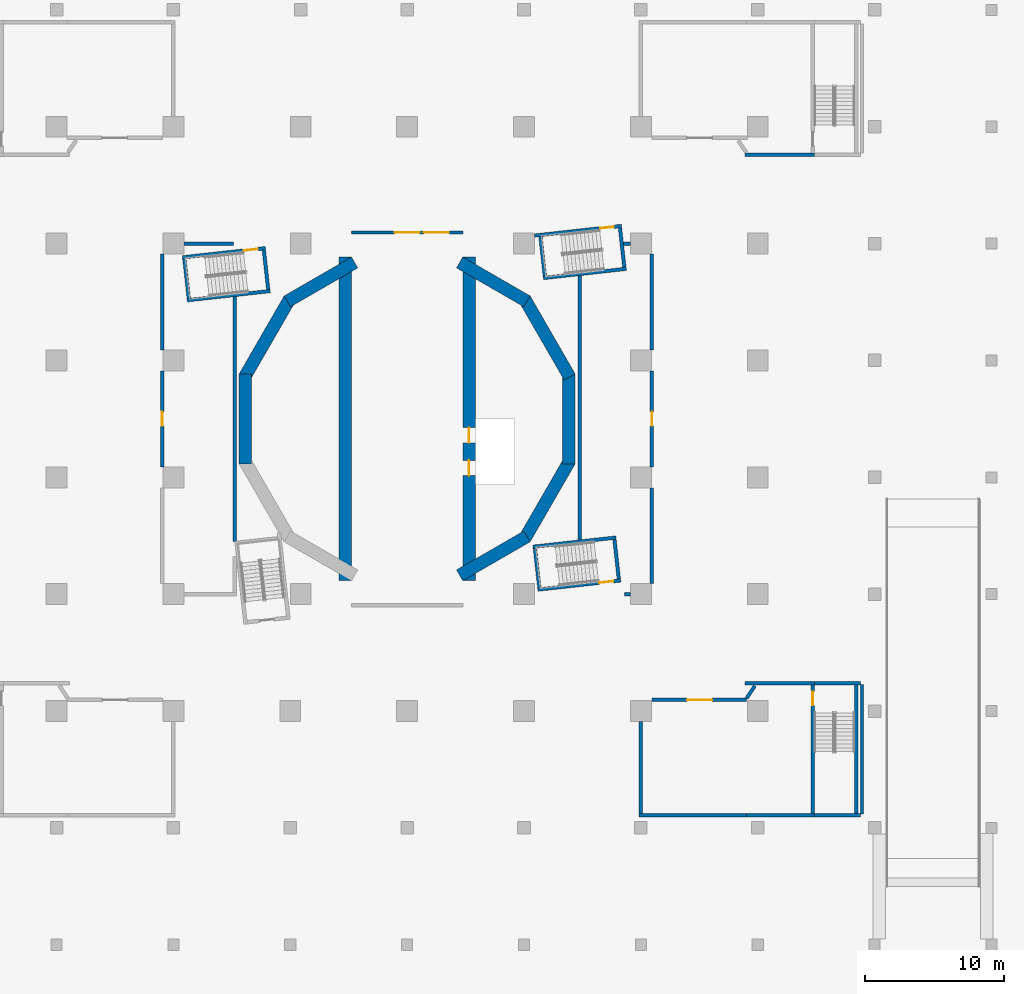
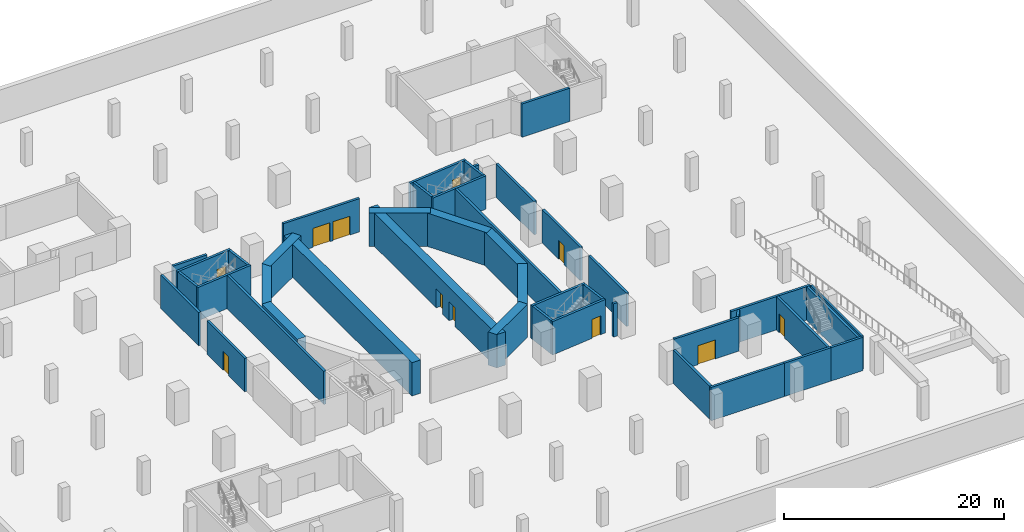
# One storey, part 6 of 18: 45 walls, 11 doors, 11 openings.
"""IFC4 building model written with IfcOpenShell, lengths in metres."""

from ifc_helpers import new_model, si_unit, direction, frame, frame_2d, origin, place, context, subcontext, project, spatial, rectangle, extrude, material, layer, layer_set, type_object, element, fill, save


model = new_model("IFC4")

# Units and contexts
model_context = context("Model", 3, precision=1e-05, world=origin(), true_north=direction((0.0, 1.0)))
body_context = subcontext(model_context, "Body", "Model", "MODEL_VIEW")
ifc_project = project(units=[si_unit("LENGTHUNIT", "METRE"), si_unit("AREAUNIT", "SQUARE_METRE"), si_unit("VOLUMEUNIT", "CUBIC_METRE"), si_unit("PLANEANGLEUNIT", "RADIAN"), si_unit("MASSUNIT", "GRAM", prefix="KILO")], contexts=[model_context])

# Site, building, storey
site_placement = place(None, origin())
site = spatial("IfcSite", under=ifc_project, at=site_placement, CompositionType="ELEMENT")
building_placement = place(site_placement, origin())
building = spatial("IfcBuilding", under=site, at=building_placement, Name="Cantera Rosa Tower", CompositionType="ELEMENT")
storey_placement = place(building_placement, frame((0.0, 0.0, -9.0)))
storey = spatial("IfcBuildingStorey", under=building, at=storey_placement, Name="B2", CompositionType="ELEMENT", Elevation=-9.0)

# Walls
ifc_material_1 = material(Name="Masonry blockwork", Category="masonry")
ifc_layer_1 = layer(ifc_material_1, 0.199951171875)
ifc_layer_set_1 = layer_set([ifc_layer_1], Name="Blockwork partition 200")
wall_type_1 = type_object("IfcWallType", Name="Blockwork partition 200", PredefinedType="PARTITIONING", material=ifc_layer_set_1)
wall_1_placement = place(storey_placement, frame((32.699951171875, -28.39990234375, 0.0), z_axis=(0.0, 0.0, 1.0), x_axis=(0.0, 1.0, 0.0)))
element("IfcWall", 1, at=wall_1_placement, inside=storey, type_object=wall_type_1, Name="Partition B2-32", PredefinedType="PARTITIONING", context=body_context, shape_type="SweptSolid", body=[
    extrude(rectangle(XDim=9.2998046875, YDim=0.199951171875, at=frame_2d((4.64990234375, 0.0))), origin(), (0.0, 0.0, 1.0), 3.699951171875),
])
ifc_material_2 = material(Name="Concrete C70/85", Category="concrete")
ifc_layer_2 = layer(ifc_material_2, 0.89990234375)
ifc_layer_set_2 = layer_set([ifc_layer_2], Name="Drum wall 900")
wall_type_2 = type_object("IfcWallType", Name="Drum wall 900", PredefinedType="SHEAR", material=ifc_layer_set_2)
wall_2_placement = place(storey_placement, frame((-11.6240234375, -3.2353515625, 0.0), z_axis=(0.0, 0.0, 1.0), x_axis=(0.0, 1.0, 0.0)))
element("IfcWall", 2, at=wall_2_placement, inside=storey, type_object=wall_type_2, Name="Drum wall west 3 B2", PredefinedType="SHEAR", context=body_context, shape_type="SweptSolid", body=[
    extrude(rectangle(XDim=6.470703125, YDim=0.89990234375, at=frame_2d((3.2353515625, 0.0))), origin(), (0.0, 0.0, 1.0), 3.699951171875),
])
wall_3_placement = place(storey_placement, frame((-11.684326171875, 3.01025390625, 0.0), z_axis=(0.0, 0.0, 1.0), x_axis=(0.499990282633, 0.866031014036, 0.0)))
element("IfcWall", 3, at=wall_3_placement, inside=storey, type_object=wall_type_2, Name="Drum wall west 4 B2", PredefinedType="SHEAR", context=body_context, shape_type="SweptSolid", body=[
    extrude(rectangle(XDim=6.470458984375, YDim=0.89990234375, at=frame_2d((3.2353515625, 0.0))), origin(), (0.0, 0.0, 1.0), 3.699951171875),
])
wall_4_placement = place(storey_placement, frame((-8.61376953125, 8.44921875, 0.0), z_axis=(0.0, 0.0, 1.0), x_axis=(0.866026961591, 0.49999730179, 0.0)))
element("IfcWall", 4, at=wall_4_placement, inside=storey, type_object=wall_type_2, Name="Drum wall west 5 B2", PredefinedType="SHEAR", context=body_context, shape_type="SweptSolid", body=[
    extrude(rectangle(XDim=5.58740234375, YDim=0.89990234375, at=frame_2d((2.793701171875, 0.0))), origin(), (0.0, 0.0, 1.0), 3.699951171875),
])
wall_5_placement = place(storey_placement, frame((-4.449951171875, 11.632568359375, 0.0), z_axis=(0.0, 0.0, 1.0), x_axis=(0.0, -1.0, 0.0)))
element("IfcWall", 5, at=wall_5_placement, inside=storey, type_object=wall_type_2, Name="Drum wall west 6 B2", PredefinedType="SHEAR", context=body_context, shape_type="SweptSolid", body=[
    extrude(rectangle(XDim=23.26513671875, YDim=0.89990234375, at=frame_2d((11.632568359375, 0.0))), origin(), (0.0, 0.0, 1.0), 3.699951171875),
])
wall_6_placement = place(storey_placement, frame((3.77490234375, 11.242919921875, 0.0), z_axis=(0.0, 0.0, 1.0), x_axis=(0.866026961591, -0.49999730179, 0.0)))
element("IfcWall", 6, at=wall_6_placement, inside=storey, type_object=wall_type_2, Name="Drum wall east 1 B2", PredefinedType="SHEAR", context=body_context, shape_type="SweptSolid", body=[
    extrude(rectangle(XDim=5.58740234375, YDim=0.89990234375, at=frame_2d((2.793701171875, 0.0))), origin(), (0.0, 0.0, 1.0), 3.699951171875),
])
wall_7_placement = place(storey_placement, frame((8.44921875, 8.61376953125, 0.0), z_axis=(0.0, 0.0, 1.0), x_axis=(0.499990282633, -0.866031014036, 0.0)))
element("IfcWall", 7, at=wall_7_placement, inside=storey, type_object=wall_type_2, Name="Drum wall east 2 B2", PredefinedType="SHEAR", context=body_context, shape_type="SweptSolid", body=[
    extrude(rectangle(XDim=6.470458984375, YDim=0.89990234375, at=frame_2d((3.2353515625, 0.0))), origin(), (0.0, 0.0, 1.0), 3.699951171875),
])
wall_8_placement = place(storey_placement, frame((11.6240234375, 3.2353515625, 0.0), z_axis=(0.0, 0.0, 1.0), x_axis=(0.0, -1.0, 0.0)))
element("IfcWall", 8, at=wall_8_placement, inside=storey, type_object=wall_type_2, Name="Drum wall east 3 B2", PredefinedType="SHEAR", context=body_context, shape_type="SweptSolid", body=[
    extrude(rectangle(XDim=6.470703125, YDim=0.89990234375, at=frame_2d((3.2353515625, 0.0))), origin(), (0.0, 0.0, 1.0), 3.699951171875),
])
wall_9_placement = place(storey_placement, frame((11.684326171875, -3.01025390625, 0.0), z_axis=(0.0, 0.0, 1.0), x_axis=(-0.499990282633, -0.866031014036, 0.0)))
element("IfcWall", 9, at=wall_9_placement, inside=storey, type_object=wall_type_2, Name="Drum wall east 4 B2", PredefinedType="SHEAR", context=body_context, shape_type="SweptSolid", body=[
    extrude(rectangle(XDim=6.470458984375, YDim=0.89990234375, at=frame_2d((3.2353515625, 0.0))), origin(), (0.0, 0.0, 1.0), 3.699951171875),
])
wall_10_placement = place(storey_placement, frame((8.61376953125, -8.44921875, 0.0), z_axis=(0.0, 0.0, 1.0), x_axis=(-0.866026961591, -0.49999730179, 0.0)))
element("IfcWall", 10, at=wall_10_placement, inside=storey, type_object=wall_type_2, Name="Drum wall east 5 B2", PredefinedType="SHEAR", context=body_context, shape_type="SweptSolid", body=[
    extrude(rectangle(XDim=5.58740234375, YDim=0.89990234375, at=frame_2d((2.793701171875, 0.0))), origin(), (0.0, 0.0, 1.0), 3.699951171875),
])

# Wall, openings, doors
wall_11_placement = place(storey_placement, frame((4.449951171875, -11.632568359375, 0.0), z_axis=(0.0, 0.0, 1.0), x_axis=(0.0, 1.0, 0.0)))
wall_11 = element("IfcWall", 11, at=wall_11_placement, inside=storey, type_object=wall_type_2, Name="Drum wall east 6 B2", PredefinedType="SHEAR", context=body_context, shape_type="SweptSolid", body=[
    extrude(rectangle(XDim=23.26513671875, YDim=0.89990234375, at=frame_2d((11.632568359375, 0.0))), origin(), (0.0, 0.0, 1.0), 3.699951171875),
])
opening_1_placement = place(wall_11_placement, frame((7.5576171875, 0.0, 0.0)))
opening_1 = element("IfcOpeningElement", 12, at=opening_1_placement, cuts=wall_11, Name="Opening LD-FF1-B2", PredefinedType="OPENING", context=body_context, shape_type="SweptSolid", body=[
    extrude(rectangle(XDim=1.10009765625, YDim=2.10009765625, at=frame_2d((0.550048828125, 1.050048828125))), frame((0.0, 0.4599609375, 0.0), z_axis=(0.0, -1.0, 0.0), x_axis=(1.0, 0.0, 0.0)), (0.0, 0.0, 1.0), 0.919921875),
])
opening_2_placement = place(wall_11_placement, frame((9.907470703125, 0.0, 0.0)))
opening_2 = element("IfcOpeningElement", 13, at=opening_2_placement, cuts=wall_11, Name="Opening LD-FF2-B2", PredefinedType="OPENING", context=body_context, shape_type="SweptSolid", body=[
    extrude(rectangle(XDim=1.10009765625, YDim=2.10009765625, at=frame_2d((0.550048828125, 1.050048828125))), frame((0.0, 0.4599609375, 0.0), z_axis=(0.0, -1.0, 0.0), x_axis=(1.0, 0.0, 0.0)), (0.0, 0.0, 1.0), 0.919921875),
])
ifc_material_3 = material(Name="Steel S355J2 (EN 10025-2)", Category="steel")
door_type_1 = type_object("IfcDoorType", Name="LANDING DOOR 1100x2100", OperationType="NOTDEFINED", PredefinedType="DOOR", material=ifc_material_3)
door_1_placement = place(opening_1_placement, origin())
door_1 = element("IfcDoor", 14, at=door_1_placement, inside=storey, type_object=door_type_1, Name="LANDING DOOR FF1 B2", OperationType="SLIDING_TO_LEFT", OverallHeight=2.10009765625, OverallWidth=1.10009765625, PredefinedType="DOOR", context=body_context, shape_type="SweptSolid", body=[
    extrude(rectangle(XDim=1.10009765625, YDim=2.10009765625, at=frame_2d((0.550048828125, 1.050048828125))), frame((0.0, 0.02490234375, 0.0), z_axis=(0.0, -1.0, 0.0), x_axis=(1.0, 0.0, 0.0)), (0.0, 0.0, 1.0), 0.050048828125),
])
fill(opening_1, door_1)
door_2_placement = place(opening_2_placement, origin())
door_2 = element("IfcDoor", 15, at=door_2_placement, inside=storey, type_object=door_type_1, Name="LANDING DOOR FF2 B2", OperationType="SLIDING_TO_LEFT", OverallHeight=2.10009765625, OverallWidth=1.10009765625, PredefinedType="DOOR", context=body_context, shape_type="SweptSolid", body=[
    extrude(rectangle(XDim=1.10009765625, YDim=2.10009765625, at=frame_2d((0.550048828125, 1.050048828125))), frame((0.0, 0.02490234375, 0.0), z_axis=(0.0, -1.0, 0.0), x_axis=(1.0, 0.0, 0.0)), (0.0, 0.0, 1.0), 0.050048828125),
])
fill(opening_2, door_2)

# Walls
ifc_material_4 = material(Name="Concrete C50/60", Category="concrete")
ifc_layer_3 = layer(ifc_material_4, 0.25)
ifc_layer_set_3 = layer_set([ifc_layer_3], Name="External stair wall 250")
wall_type_3 = type_object("IfcWallType", Name="External stair wall 250", PredefinedType="SOLIDWALL", material=ifc_layer_set_3)
for number, where, z_axis, x_axis, name in (
    (16, (29.27490234375, -19.0, 0.0), (0.0, 0.0, 1.0), (1.0, 0.0, 0.0), "Stair wall B2-54"),
    (17, (32.60009765625, -28.5, 0.0), (0.0, 0.0, 1.0), (-1.0, 0.0, 0.0), "Stair wall B2-61"),
):
    element("IfcWall", number, at=place(storey_placement, frame(where, z_axis=z_axis, x_axis=x_axis)), inside=storey, type_object=wall_type_3, Name=name, PredefinedType="SOLIDWALL", context=body_context, shape_type="SweptSolid", body=[
        extrude(rectangle(XDim=3.3251953125, YDim=0.25, at=frame_2d((1.66259765625, 0.0))), origin(), (0.0, 0.0, 1.0), 3.699951171875),
    ])
ifc_material_5 = material(Name="Masonry blockwork", Category="masonry")
ifc_layer_4 = layer(ifc_material_5, 0.25)
ifc_layer_set_4 = layer_set([ifc_layer_4], Name="Fire-rated external wall 250")
wall_type_4 = type_object("IfcWallType", Name="Fire-rated external wall 250", PredefinedType="PARTITIONING", material=ifc_layer_set_4)
wall_12_placement = place(storey_placement, frame((15.613525390625, -12.60009765625, 0.0), z_axis=(0.0, 0.0, 1.0), x_axis=(1.0, 0.0, 0.0)))
element("IfcWall", 18, at=wall_12_placement, inside=storey, type_object=wall_type_4, Name="Fire wall B2-7", PredefinedType="PARTITIONING", context=body_context, shape_type="SweptSolid", body=[
    extrude(rectangle(XDim=0.4365234375, YDim=0.25, at=frame_2d((0.21826171875, 0.0))), origin(), (0.0, 0.0, 1.0), 3.699951171875),
])
wall_13_placement = place(storey_placement, frame((12.39990234375, -8.6923828125, 0.0), z_axis=(0.0, 0.0, 1.0), x_axis=(0.0, 1.0, 0.0)))
element("IfcWall", 19, at=wall_13_placement, inside=storey, type_object=wall_type_4, Name="Fire wall B2-8", PredefinedType="PARTITIONING", context=body_context, shape_type="SweptSolid", body=[
    extrude(rectangle(XDim=18.98486328125, YDim=0.25, at=frame_2d((9.492431640625, 0.0))), origin(), (0.0, 0.0, 1.0), 3.699951171875),
])
wall_14_placement = place(storey_placement, frame((-16.050048828125, 12.60009765625, 0.0), z_axis=(0.0, 0.0, 1.0), x_axis=(1.0, 0.0, 0.0)))
element("IfcWall", 20, at=wall_14_placement, inside=storey, type_object=wall_type_4, Name="Fire wall B2-9", PredefinedType="PARTITIONING", context=body_context, shape_type="SweptSolid", body=[
    extrude(rectangle(XDim=3.560546875, YDim=0.25, at=frame_2d((1.7802734375, 0.0))), origin(), (0.0, 0.0, 1.0), 3.699951171875),
])
wall_15_placement = place(storey_placement, frame((15.5517578125, 12.60009765625, 0.0), z_axis=(0.0, 0.0, 1.0), x_axis=(1.0, 0.0, 0.0)))
element("IfcWall", 21, at=wall_15_placement, inside=storey, type_object=wall_type_4, Name="Fire wall B2-10", PredefinedType="PARTITIONING", context=body_context, shape_type="SweptSolid", body=[
    extrude(rectangle(XDim=0.498291015625, YDim=0.25, at=frame_2d((0.2490234375, 0.0))), origin(), (0.0, 0.0, 1.0), 3.699951171875),
])
wall_16_placement = place(storey_placement, frame((-12.39990234375, -8.7998046875, 0.0), z_axis=(0.0, 0.0, 1.0), x_axis=(0.0, 1.0, 0.0)))
element("IfcWall", 22, at=wall_16_placement, inside=storey, type_object=wall_type_4, Name="Fire wall B2-15", PredefinedType="PARTITIONING", context=body_context, shape_type="SweptSolid", body=[
    extrude(rectangle(XDim=17.5810546875, YDim=0.25, at=frame_2d((8.79052734375, 0.0))), origin(), (0.0, 0.0, 1.0), 3.699951171875),
])
wall_17_placement = place(storey_placement, frame((24.27490234375, 19.0, 0.0), z_axis=(0.0, 0.0, 1.0), x_axis=(1.0, 0.0, 0.0)))
element("IfcWall", 23, at=wall_17_placement, inside=storey, type_object=wall_type_4, Name="Fire wall B2-30", PredefinedType="PARTITIONING", context=body_context, shape_type="SweptSolid", body=[
    extrude(rectangle(XDim=5.0, YDim=0.25, at=frame_2d((2.5, 0.0))), origin(), (0.0, 0.0, 1.0), 3.699951171875),
])
wall_18_placement = place(storey_placement, frame((16.800048828125, -28.375, 0.0), z_axis=(0.0, 0.0, 1.0), x_axis=(0.0, 1.0, 0.0)))
element("IfcWall", 24, at=wall_18_placement, inside=storey, type_object=wall_type_4, Name="Fire wall B2-34", PredefinedType="PARTITIONING", context=body_context, shape_type="SweptSolid", body=[
    extrude(rectangle(XDim=6.625, YDim=0.25, at=frame_2d((3.3125, 0.0))), origin(), (0.0, 0.0, 1.0), 3.699951171875),
])
wall_19_placement = place(storey_placement, frame((24.27490234375, -19.0, 0.0), z_axis=(0.0, 0.0, 1.0), x_axis=(1.0, 0.0, 0.0)))
element("IfcWall", 25, at=wall_19_placement, inside=storey, type_object=wall_type_4, Name="Fire wall B2-53", PredefinedType="PARTITIONING", context=body_context, shape_type="SweptSolid", body=[
    extrude(rectangle(XDim=5.0, YDim=0.25, at=frame_2d((2.5, 0.0))), origin(), (0.0, 0.0, 1.0), 3.699951171875),
])
wall_20_placement = place(storey_placement, frame((16.675048828125, -28.5, 0.0), z_axis=(0.0, 0.0, 1.0), x_axis=(1.0, 0.0, 0.0)))
element("IfcWall", 26, at=wall_20_placement, inside=storey, type_object=wall_type_4, Name="Fire wall B2-59", PredefinedType="PARTITIONING", context=body_context, shape_type="SweptSolid", body=[
    extrude(rectangle(XDim=7.724853515625, YDim=0.25, at=frame_2d((3.8623046875, 0.0))), origin(), (0.0, 0.0, 1.0), 3.699951171875),
])
wall_21_placement = place(storey_placement, frame((24.39990234375, -28.5, 0.0), z_axis=(0.0, 0.0, 1.0), x_axis=(1.0, 0.0, 0.0)))
element("IfcWall", 27, at=wall_21_placement, inside=storey, type_object=wall_type_4, Name="Fire wall B2-60", PredefinedType="PARTITIONING", context=body_context, shape_type="SweptSolid", body=[
    extrude(rectangle(XDim=4.875, YDim=0.25, at=frame_2d((2.4375, 0.0))), origin(), (0.0, 0.0, 1.0), 3.699951171875),
])

# Wall, openings, doors
ifc_material_6 = material(Name="Masonry blockwork", Category="masonry")
ifc_layer_5 = layer(ifc_material_6, 0.25)
ifc_layer_set_5 = layer_set([ifc_layer_5], Name="Fire-rated wall 250")
wall_type_5 = type_object("IfcWallType", Name="Fire-rated wall 250", PredefinedType="PARTITIONING", material=ifc_layer_set_5)
wall_22_placement = place(storey_placement, frame((-4.0, 13.39990234375, 0.0), z_axis=(0.0, 0.0, 1.0), x_axis=(1.0, 0.0, 0.0)))
wall_22 = element("IfcWall", 28, at=wall_22_placement, inside=storey, type_object=wall_type_5, Name="Fire wall B2-1", PredefinedType="PARTITIONING", context=body_context, shape_type="SweptSolid", body=[
    extrude(rectangle(XDim=8.0, YDim=0.25, at=frame_2d((4.0, 0.0))), origin(), (0.0, 0.0, 1.0), 3.699951171875),
])
opening_3_placement = place(wall_22_placement, frame((3.10009765625, 0.0, 0.0)))
opening_3 = element("IfcOpeningElement", 29, at=opening_3_placement, cuts=wall_22, Name="Opening B2-009", PredefinedType="OPENING", context=body_context, shape_type="SweptSolid", body=[
    extrude(rectangle(XDim=1.800048828125, YDim=2.10009765625, at=frame_2d((0.89990234375, 1.050048828125))), frame((0.0, 0.135009765625, 0.0), z_axis=(0.0, -1.0, 0.0), x_axis=(1.0, 0.0, 0.0)), (0.0, 0.0, 1.0), 0.27001953125),
])
opening_4_placement = place(wall_22_placement, frame((5.199951171875, 0.0, 0.0)))
opening_4 = element("IfcOpeningElement", 30, at=opening_4_placement, cuts=wall_22, Name="Opening B2-010", PredefinedType="OPENING", context=body_context, shape_type="SweptSolid", body=[
    extrude(rectangle(XDim=1.800048828125, YDim=2.10009765625, at=frame_2d((0.89990234375, 1.050048828125))), frame((0.0, 0.135009765625, 0.0), z_axis=(0.0, -1.0, 0.0), x_axis=(1.0, 0.0, 0.0)), (0.0, 0.0, 1.0), 0.27001953125),
])
ifc_material_7 = material(Name="Steel S355J2 (EN 10025-2)", Category="steel")
door_type_2 = type_object("IfcDoorType", Name="Fire double door 1800x2100", OperationType="NOTDEFINED", PredefinedType="DOOR", material=ifc_material_7)
door_3_placement = place(opening_3_placement, origin())
door_3 = element("IfcDoor", 31, at=door_3_placement, inside=storey, type_object=door_type_2, Name="Door B2-009", OperationType="DOUBLE_DOOR_SINGLE_SWING", OverallHeight=2.10009765625, OverallWidth=1.800048828125, PredefinedType="DOOR", context=body_context, shape_type="SweptSolid", body=[
    extrude(rectangle(XDim=1.800048828125, YDim=2.10009765625, at=frame_2d((0.89990234375, 1.050048828125))), frame((0.0, 0.02490234375, 0.0), z_axis=(0.0, -1.0, 0.0), x_axis=(1.0, 0.0, 0.0)), (0.0, 0.0, 1.0), 0.050048828125),
])
fill(opening_3, door_3)
door_4_placement = place(opening_4_placement, origin())
door_4 = element("IfcDoor", 32, at=door_4_placement, inside=storey, type_object=door_type_2, Name="Door B2-010", OperationType="DOUBLE_DOOR_SINGLE_SWING", OverallHeight=2.10009765625, OverallWidth=1.800048828125, PredefinedType="DOOR", context=body_context, shape_type="SweptSolid", body=[
    extrude(rectangle(XDim=1.800048828125, YDim=2.10009765625, at=frame_2d((0.89990234375, 1.050048828125))), frame((0.0, 0.02490234375, 0.0), z_axis=(0.0, -1.0, 0.0), x_axis=(1.0, 0.0, 0.0)), (0.0, 0.0, 1.0), 0.050048828125),
])
fill(opening_4, door_4)

# Wall
wall_23_placement = place(storey_placement, frame((17.60009765625, -11.85009765625, 0.0), z_axis=(0.0, 0.0, 1.0), x_axis=(0.0, 1.0, 0.0)))
element("IfcWall", 33, at=wall_23_placement, inside=storey, type_object=wall_type_5, Name="Fire wall B2-3", PredefinedType="PARTITIONING", context=body_context, shape_type="SweptSolid", body=[
    extrude(rectangle(XDim=6.900146484375, YDim=0.25, at=frame_2d((3.4501953125, 0.0))), origin(), (0.0, 0.0, 1.0), 3.699951171875),
])

# Wall, opening, door
wall_24_placement = place(storey_placement, frame((17.60009765625, -3.449951171875, 0.0), z_axis=(0.0, 0.0, 1.0), x_axis=(0.0, 1.0, 0.0)))
wall_24 = element("IfcWall", 34, at=wall_24_placement, inside=storey, type_object=wall_type_5, Name="Fire wall B2-4", PredefinedType="PARTITIONING", context=body_context, shape_type="SweptSolid", body=[
    extrude(rectangle(XDim=6.89990234375, YDim=0.25, at=frame_2d((3.449951171875, 0.0))), origin(), (0.0, 0.0, 1.0), 3.699951171875),
])
opening_5_placement = place(wall_24_placement, frame((2.949951171875, 0.0, 0.0)))
opening_5 = element("IfcOpeningElement", 35, at=opening_5_placement, cuts=wall_24, Name="Opening B2-011", PredefinedType="OPENING", context=body_context, shape_type="SweptSolid", body=[
    extrude(rectangle(XDim=1.0, YDim=2.10009765625, at=frame_2d((0.5, 1.050048828125))), frame((0.0, 0.135009765625, 0.0), z_axis=(0.0, -1.0, 0.0), x_axis=(1.0, 0.0, 0.0)), (0.0, 0.0, 1.0), 0.27001953125),
])
ifc_material_8 = material(Name="Steel S355J2 (EN 10025-2)", Category="steel")
door_type_3 = type_object("IfcDoorType", Name="Fire door 1000x2100", OperationType="NOTDEFINED", PredefinedType="DOOR", material=ifc_material_8)
door_5_placement = place(opening_5_placement, origin())
door_5 = element("IfcDoor", 36, at=door_5_placement, inside=storey, type_object=door_type_3, Name="Door B2-011", OverallHeight=2.10009765625, OverallWidth=1.0, PredefinedType="DOOR", context=body_context, shape_type="SweptSolid", body=[
    extrude(rectangle(XDim=1.0, YDim=2.10009765625, at=frame_2d((0.5, 1.050048828125))), frame((0.0, 0.02490234375, 0.0), z_axis=(0.0, -1.0, 0.0), x_axis=(1.0, 0.0, 0.0)), (0.0, 0.0, 1.0), 0.050048828125),
])
fill(opening_5, door_5)

# Wall
wall_25_placement = place(storey_placement, frame((17.60009765625, 4.949951171875, 0.0), z_axis=(0.0, 0.0, 1.0), x_axis=(0.0, 1.0, 0.0)))
element("IfcWall", 37, at=wall_25_placement, inside=storey, type_object=wall_type_5, Name="Fire wall B2-5", PredefinedType="PARTITIONING", context=body_context, shape_type="SweptSolid", body=[
    extrude(rectangle(XDim=6.900146484375, YDim=0.25, at=frame_2d((3.4501953125, 0.0))), origin(), (0.0, 0.0, 1.0), 3.699951171875),
])

# Wall, opening, door
wall_26_placement = place(storey_placement, frame((-17.60009765625, -3.449951171875, 0.0), z_axis=(0.0, 0.0, 1.0), x_axis=(0.0, 1.0, 0.0)))
wall_26 = element("IfcWall", 38, at=wall_26_placement, inside=storey, type_object=wall_type_5, Name="Fire wall B2-12", PredefinedType="PARTITIONING", context=body_context, shape_type="SweptSolid", body=[
    extrude(rectangle(XDim=6.89990234375, YDim=0.25, at=frame_2d((3.449951171875, 0.0))), origin(), (0.0, 0.0, 1.0), 3.699951171875),
])
opening_6_placement = place(wall_26_placement, frame((2.949951171875, 0.0, 0.0)))
opening_6 = element("IfcOpeningElement", 39, at=opening_6_placement, cuts=wall_26, Name="Opening B2-012", PredefinedType="OPENING", context=body_context, shape_type="SweptSolid", body=[
    extrude(rectangle(XDim=1.0, YDim=2.10009765625, at=frame_2d((0.5, 1.050048828125))), frame((0.0, 0.135009765625, 0.0), z_axis=(0.0, -1.0, 0.0), x_axis=(1.0, 0.0, 0.0)), (0.0, 0.0, 1.0), 0.27001953125),
])
door_6_placement = place(opening_6_placement, origin())
door_6 = element("IfcDoor", 40, at=door_6_placement, inside=storey, type_object=door_type_3, Name="Door B2-012", OverallHeight=2.10009765625, OverallWidth=1.0, PredefinedType="DOOR", context=body_context, shape_type="SweptSolid", body=[
    extrude(rectangle(XDim=1.0, YDim=2.10009765625, at=frame_2d((0.5, 1.050048828125))), frame((0.0, 0.02490234375, 0.0), z_axis=(0.0, -1.0, 0.0), x_axis=(1.0, 0.0, 0.0)), (0.0, 0.0, 1.0), 0.050048828125),
])
fill(opening_6, door_6)

# Walls
wall_27_placement = place(storey_placement, frame((-17.60009765625, 4.949951171875, 0.0), z_axis=(0.0, 0.0, 1.0), x_axis=(0.0, 1.0, 0.0)))
element("IfcWall", 41, at=wall_27_placement, inside=storey, type_object=wall_type_5, Name="Fire wall B2-13", PredefinedType="PARTITIONING", context=body_context, shape_type="SweptSolid", body=[
    extrude(rectangle(XDim=6.900146484375, YDim=0.25, at=frame_2d((3.4501953125, 0.0))), origin(), (0.0, 0.0, 1.0), 3.699951171875),
])
wall_28_placement = place(storey_placement, frame((24.39990234375, -20.074951171875, 0.0), z_axis=(0.0, 0.0, 1.0), x_axis=(0.559343029511, 0.828936291483, 0.0)))
element("IfcWall", 42, at=wall_28_placement, inside=storey, type_object=wall_type_5, Name="Fire wall B2-36", PredefinedType="PARTITIONING", context=body_context, shape_type="SweptSolid", body=[
    extrude(rectangle(XDim=1.06591796875, YDim=0.25, at=frame_2d((0.532958984375, 0.0))), origin(), (0.0, 0.0, 1.0), 3.699951171875),
])

# Wall, opening, door
wall_29_placement = place(storey_placement, frame((17.60009765625, -20.199951171875, 0.0), z_axis=(0.0, 0.0, 1.0), x_axis=(1.0, 0.0, 0.0)))
wall_29 = element("IfcWall", 43, at=wall_29_placement, inside=storey, type_object=wall_type_5, Name="Fire wall B2-63", PredefinedType="PARTITIONING", context=body_context, shape_type="SweptSolid", body=[
    extrude(rectangle(XDim=6.809814453125, YDim=0.25, at=frame_2d((3.40478515625, 0.0))), origin(), (0.0, 0.0, 1.0), 3.699951171875),
])
opening_7_placement = place(wall_29_placement, frame((2.52490234375, 0.0, 0.0)))
opening_7 = element("IfcOpeningElement", 44, at=opening_7_placement, cuts=wall_29, Name="Opening B2-005", PredefinedType="OPENING", context=body_context, shape_type="SweptSolid", body=[
    extrude(rectangle(XDim=1.800048828125, YDim=2.10009765625, at=frame_2d((0.89990234375, 1.050048828125))), frame((0.0, 0.135009765625, 0.0), z_axis=(0.0, -1.0, 0.0), x_axis=(1.0, 0.0, 0.0)), (0.0, 0.0, 1.0), 0.27001953125),
])
door_7_placement = place(opening_7_placement, origin())
door_7 = element("IfcDoor", 45, at=door_7_placement, inside=storey, type_object=door_type_2, Name="Door B2-005", OperationType="DOUBLE_DOOR_SINGLE_SWING", OverallHeight=2.10009765625, OverallWidth=1.800048828125, PredefinedType="DOOR", context=body_context, shape_type="SweptSolid", body=[
    extrude(rectangle(XDim=1.800048828125, YDim=2.10009765625, at=frame_2d((0.89990234375, 1.050048828125))), frame((0.0, 0.02490234375, 0.0), z_axis=(0.0, -1.0, 0.0), x_axis=(1.0, 0.0, 0.0)), (0.0, 0.0, 1.0), 0.050048828125),
])
fill(opening_7, door_7)

# Wall
ifc_material_9 = material(Name="Concrete C50/60", Category="concrete")
ifc_layer_6 = layer(ifc_material_9, 0.25)
ifc_layer_set_6 = layer_set([ifc_layer_6], Name="RC stair wall 250 C50/60")
wall_type_6 = type_object("IfcWallType", Name="RC stair wall 250", PredefinedType="SOLIDWALL", material=ifc_layer_set_6)
wall_30_placement = place(storey_placement, frame((32.300048828125, -28.375, 0.0), z_axis=(0.0, 0.0, 1.0), x_axis=(0.0, 1.0, 0.0)))
element("IfcWall", 46, at=wall_30_placement, inside=storey, type_object=wall_type_6, Name="Stair wall B2-16", PredefinedType="SOLIDWALL", context=body_context, shape_type="SweptSolid", body=[
    extrude(rectangle(XDim=9.25, YDim=0.25, at=frame_2d((4.625, 0.0))), origin(), (0.0, 0.0, 1.0), 3.699951171875),
])

# Wall, opening, door
wall_31_placement = place(storey_placement, frame((29.14990234375, -28.375, 0.0), z_axis=(0.0, 0.0, 1.0), x_axis=(0.0, 1.0, 0.0)))
wall_31 = element("IfcWall", 47, at=wall_31_placement, inside=storey, type_object=wall_type_6, Name="Stair wall B2-25", PredefinedType="SOLIDWALL", context=body_context, shape_type="SweptSolid", body=[
    extrude(rectangle(XDim=9.25, YDim=0.25, at=frame_2d((4.625, 0.0))), origin(), (0.0, 0.0, 1.0), 3.699951171875),
])
opening_8_placement = place(wall_31_placement, frame((7.77490234375, 0.0, 0.0)))
opening_8 = element("IfcOpeningElement", 48, at=opening_8_placement, cuts=wall_31, Name="Opening B2-006", PredefinedType="OPENING", context=body_context, shape_type="SweptSolid", body=[
    extrude(rectangle(XDim=1.0, YDim=2.10009765625, at=frame_2d((0.5, 1.050048828125))), frame((0.0, 0.135009765625, 0.0), z_axis=(0.0, -1.0, 0.0), x_axis=(1.0, 0.0, 0.0)), (0.0, 0.0, 1.0), 0.27001953125),
])
ifc_material_10 = material(Name="Steel S355J2 (EN 10025-2)", Category="steel")
door_type_4 = type_object("IfcDoorType", Name="Fire door 1000x2100 EI 120", OperationType="NOTDEFINED", PredefinedType="DOOR", material=ifc_material_10)
door_8_placement = place(opening_8_placement, origin())
door_8 = element("IfcDoor", 49, at=door_8_placement, inside=storey, type_object=door_type_4, Name="Door B2-006", OverallHeight=2.10009765625, OverallWidth=1.0, PredefinedType="DOOR", context=body_context, shape_type="SweptSolid", body=[
    extrude(rectangle(XDim=1.0, YDim=2.10009765625, at=frame_2d((0.5, 1.050048828125))), frame((0.0, 0.02490234375, 0.0), z_axis=(0.0, -1.0, 0.0), x_axis=(1.0, 0.0, 0.0)), (0.0, 0.0, 1.0), 0.050048828125),
])
fill(opening_8, door_8)

# Walls
wall_32_placement = place(storey_placement, frame((15.30029296875, 13.7333984375, 0.0), z_axis=(0.0, 0.0, 1.0), x_axis=(0.110252878147, -0.99390356819, 0.0)))
element("IfcWall", 50, at=wall_32_placement, inside=storey, type_object=wall_type_6, Name="Stair wall ST-11 B2-1", PredefinedType="SOLIDWALL", context=body_context, shape_type="SweptSolid", body=[
    extrude(rectangle(XDim=2.849853515625, YDim=0.25, at=frame_2d((1.4248046875, 0.0))), origin(), (0.0, 0.0, 1.0), 3.699951171875),
])
wall_33_placement = place(storey_placement, frame((15.752685546875, 10.790283203125, 0.0), z_axis=(0.0, 0.0, 1.0), x_axis=(-0.993897125329, -0.110310943534, 0.0)))
element("IfcWall", 51, at=wall_33_placement, inside=storey, type_object=wall_type_6, Name="Stair wall ST-11 B2-2", PredefinedType="SOLIDWALL", context=body_context, shape_type="SweptSolid", body=[
    extrude(rectangle(XDim=6.0, YDim=0.25, at=frame_2d((3.0, 0.0))), origin(), (0.0, 0.0, 1.0), 3.699951171875),
])
wall_34_placement = place(storey_placement, frame((9.899658203125, 10.2666015625, 0.0), z_axis=(0.0, 0.0, 1.0), x_axis=(-0.110252878147, 0.99390356819, 0.0)))
element("IfcWall", 52, at=wall_34_placement, inside=storey, type_object=wall_type_6, Name="Stair wall ST-11 B2-3", PredefinedType="SOLIDWALL", context=body_context, shape_type="SweptSolid", body=[
    extrude(rectangle(XDim=2.849853515625, YDim=0.25, at=frame_2d((1.4248046875, 0.0))), origin(), (0.0, 0.0, 1.0), 3.699951171875),
])

# Wall, opening, door
wall_35_placement = place(storey_placement, frame((9.162353515625, 13.177978515625, 0.0), z_axis=(0.0, 0.0, 1.0), x_axis=(0.993895095647, 0.110329229349, 0.0)))
wall_35 = element("IfcWall", 53, at=wall_35_placement, inside=storey, type_object=wall_type_6, Name="Stair wall ST-11 B2-4", PredefinedType="SOLIDWALL", context=body_context, shape_type="SweptSolid", body=[
    extrude(rectangle(XDim=6.28662109375, YDim=0.25, at=frame_2d((3.143310546875, 0.0))), origin(), (0.0, 0.0, 1.0), 3.699951171875),
])
opening_9_placement = place(wall_35_placement, frame((4.736572265625, 0.0, 0.0)))
opening_9 = element("IfcOpeningElement", 54, at=opening_9_placement, cuts=wall_35, Name="Opening B2-ST-11", PredefinedType="OPENING", context=body_context, shape_type="SweptSolid", body=[
    extrude(rectangle(XDim=1.0, YDim=2.10009765625, at=frame_2d((0.5, 1.050048828125))), frame((0.0, 0.135009765625, 0.0), z_axis=(0.0, -1.0, 0.0), x_axis=(1.0, 0.0, 0.0)), (0.0, 0.0, 1.0), 0.27001953125),
])
door_9_placement = place(opening_9_placement, origin())
door_9 = element("IfcDoor", 55, at=door_9_placement, inside=storey, type_object=door_type_4, Name="Door B2-ST-11", OverallHeight=2.10009765625, OverallWidth=1.0, PredefinedType="DOOR", context=body_context, shape_type="SweptSolid", body=[
    extrude(rectangle(XDim=1.0, YDim=2.10009765625, at=frame_2d((0.5, 1.050048828125))), frame((0.0, 0.02490234375, 0.0), z_axis=(0.0, -1.0, 0.0), x_axis=(1.0, 0.0, 0.0)), (0.0, 0.0, 1.0), 0.050048828125),
])
fill(opening_9, door_9)

# Walls
wall_36_placement = place(storey_placement, frame((-10.2998046875, 12.133544921875, 0.0), z_axis=(0.0, 0.0, 1.0), x_axis=(0.110328108544, -0.993895220063, 0.0)))
element("IfcWall", 56, at=wall_36_placement, inside=storey, type_object=wall_type_6, Name="Stair wall ST-12 B2-1", PredefinedType="SOLIDWALL", context=body_context, shape_type="SweptSolid", body=[
    extrude(rectangle(XDim=2.85009765625, YDim=0.25, at=frame_2d((1.425048828125, 0.0))), origin(), (0.0, 0.0, 1.0), 3.699951171875),
])
wall_37_placement = place(storey_placement, frame((-9.847412109375, 9.1904296875, 0.0), z_axis=(0.0, 0.0, 1.0), x_axis=(-0.993897125329, -0.110310943534, 0.0)))
element("IfcWall", 57, at=wall_37_placement, inside=storey, type_object=wall_type_6, Name="Stair wall ST-12 B2-2", PredefinedType="SOLIDWALL", context=body_context, shape_type="SweptSolid", body=[
    extrude(rectangle(XDim=6.0, YDim=0.25, at=frame_2d((3.0, 0.0))), origin(), (0.0, 0.0, 1.0), 3.699951171875),
])
wall_38_placement = place(storey_placement, frame((-15.7001953125, 8.66650390625, 0.0), z_axis=(0.0, 0.0, 1.0), x_axis=(-0.110328108544, 0.993895220063, 0.0)))
element("IfcWall", 58, at=wall_38_placement, inside=storey, type_object=wall_type_6, Name="Stair wall ST-12 B2-3", PredefinedType="SOLIDWALL", context=body_context, shape_type="SweptSolid", body=[
    extrude(rectangle(XDim=2.85009765625, YDim=0.25, at=frame_2d((1.425048828125, 0.0))), origin(), (0.0, 0.0, 1.0), 3.699951171875),
])

# Wall, opening, door
wall_39_placement = place(storey_placement, frame((-16.152587890625, 11.609619140625, 0.0), z_axis=(0.0, 0.0, 1.0), x_axis=(0.993897125329, 0.110310943534, 0.0)))
wall_39 = element("IfcWall", 59, at=wall_39_placement, inside=storey, type_object=wall_type_6, Name="Stair wall ST-12 B2-4", PredefinedType="SOLIDWALL", context=body_context, shape_type="SweptSolid", body=[
    extrude(rectangle(XDim=6.0, YDim=0.25, at=frame_2d((3.0, 0.0))), origin(), (0.0, 0.0, 1.0), 3.699951171875),
])
opening_10_placement = place(wall_39_placement, frame((4.449951171875, 0.0, 0.0)))
opening_10 = element("IfcOpeningElement", 60, at=opening_10_placement, cuts=wall_39, Name="Opening B2-ST-12", PredefinedType="OPENING", context=body_context, shape_type="SweptSolid", body=[
    extrude(rectangle(XDim=1.0, YDim=2.10009765625, at=frame_2d((0.5, 1.050048828125))), frame((0.0, 0.135009765625, 0.0), z_axis=(0.0, -1.0, 0.0), x_axis=(1.0, 0.0, 0.0)), (0.0, 0.0, 1.0), 0.27001953125),
])
door_10_placement = place(opening_10_placement, origin())
door_10 = element("IfcDoor", 61, at=door_10_placement, inside=storey, type_object=door_type_4, Name="Door B2-ST-12", OverallHeight=2.10009765625, OverallWidth=1.0, PredefinedType="DOOR", context=body_context, shape_type="SweptSolid", body=[
    extrude(rectangle(XDim=1.0, YDim=2.10009765625, at=frame_2d((0.5, 1.050048828125))), frame((0.0, 0.02490234375, 0.0), z_axis=(0.0, -1.0, 0.0), x_axis=(1.0, 0.0, 0.0)), (0.0, 0.0, 1.0), 0.050048828125),
])
fill(opening_10, door_10)

# Wall
wall_40_placement = place(storey_placement, frame((14.900390625, -8.66650390625, 0.0), z_axis=(0.0, 0.0, 1.0), x_axis=(0.110243491536, -0.993904609394, 0.0)))
element("IfcWall", 62, at=wall_40_placement, inside=storey, type_object=wall_type_6, Name="Stair wall ST-14 B2-1", PredefinedType="SOLIDWALL", context=body_context, shape_type="SweptSolid", body=[
    extrude(rectangle(XDim=2.85009765625, YDim=0.25, at=frame_2d((1.425048828125, 0.0))), origin(), (0.0, 0.0, 1.0), 3.699951171875),
])

# Wall, opening, door
wall_41_placement = place(storey_placement, frame((15.352783203125, -11.609619140625, 0.0), z_axis=(0.0, 0.0, 1.0), x_axis=(-0.993897125329, -0.110310943534, 0.0)))
wall_41 = element("IfcWall", 63, at=wall_41_placement, inside=storey, type_object=wall_type_6, Name="Stair wall ST-14 B2-2", PredefinedType="SOLIDWALL", context=body_context, shape_type="SweptSolid", body=[
    extrude(rectangle(XDim=6.0, YDim=0.25, at=frame_2d((3.0, 0.0))), origin(), (0.0, 0.0, 1.0), 3.699951171875),
])
opening_11_placement = place(wall_41_placement, frame((0.550048828125, 0.0, 0.0)))
opening_11 = element("IfcOpeningElement", 64, at=opening_11_placement, cuts=wall_41, Name="Opening B2-ST-14", PredefinedType="OPENING", context=body_context, shape_type="SweptSolid", body=[
    extrude(rectangle(XDim=1.0, YDim=2.10009765625, at=frame_2d((0.5, 1.050048828125))), frame((0.0, 0.135009765625, 0.0), z_axis=(0.0, -1.0, 0.0), x_axis=(1.0, 0.0, 0.0)), (0.0, 0.0, 1.0), 0.27001953125),
])
door_11_placement = place(opening_11_placement, origin())
door_11 = element("IfcDoor", 65, at=door_11_placement, inside=storey, type_object=door_type_4, Name="Door B2-ST-14", OverallHeight=2.10009765625, OverallWidth=1.0, PredefinedType="DOOR", context=body_context, shape_type="SweptSolid", body=[
    extrude(rectangle(XDim=1.0, YDim=2.10009765625, at=frame_2d((0.5, 1.050048828125))), frame((0.0, 0.02490234375, 0.0), z_axis=(0.0, -1.0, 0.0), x_axis=(1.0, 0.0, 0.0)), (0.0, 0.0, 1.0), 0.050048828125),
])
fill(opening_11, door_11)

# Walls
wall_42_placement = place(storey_placement, frame((9.499755859375, -12.133544921875, 0.0), z_axis=(0.0, 0.0, 1.0), x_axis=(-0.110328108544, 0.993895220063, 0.0)))
element("IfcWall", 66, at=wall_42_placement, inside=storey, type_object=wall_type_6, Name="Stair wall ST-14 B2-3", PredefinedType="SOLIDWALL", context=body_context, shape_type="SweptSolid", body=[
    extrude(rectangle(XDim=2.85009765625, YDim=0.25, at=frame_2d((1.425048828125, 0.0))), origin(), (0.0, 0.0, 1.0), 3.699951171875),
])
wall_43_placement = place(storey_placement, frame((9.04736328125, -9.1904296875, 0.0), z_axis=(0.0, 0.0, 1.0), x_axis=(0.993897125329, 0.110310943534, 0.0)))
element("IfcWall", 67, at=wall_43_placement, inside=storey, type_object=wall_type_6, Name="Stair wall ST-14 B2-4", PredefinedType="SOLIDWALL", context=body_context, shape_type="SweptSolid", body=[
    extrude(rectangle(XDim=6.0, YDim=0.25, at=frame_2d((3.0, 0.0))), origin(), (0.0, 0.0, 1.0), 3.699951171875),
])

save(model, "model.ifc")
